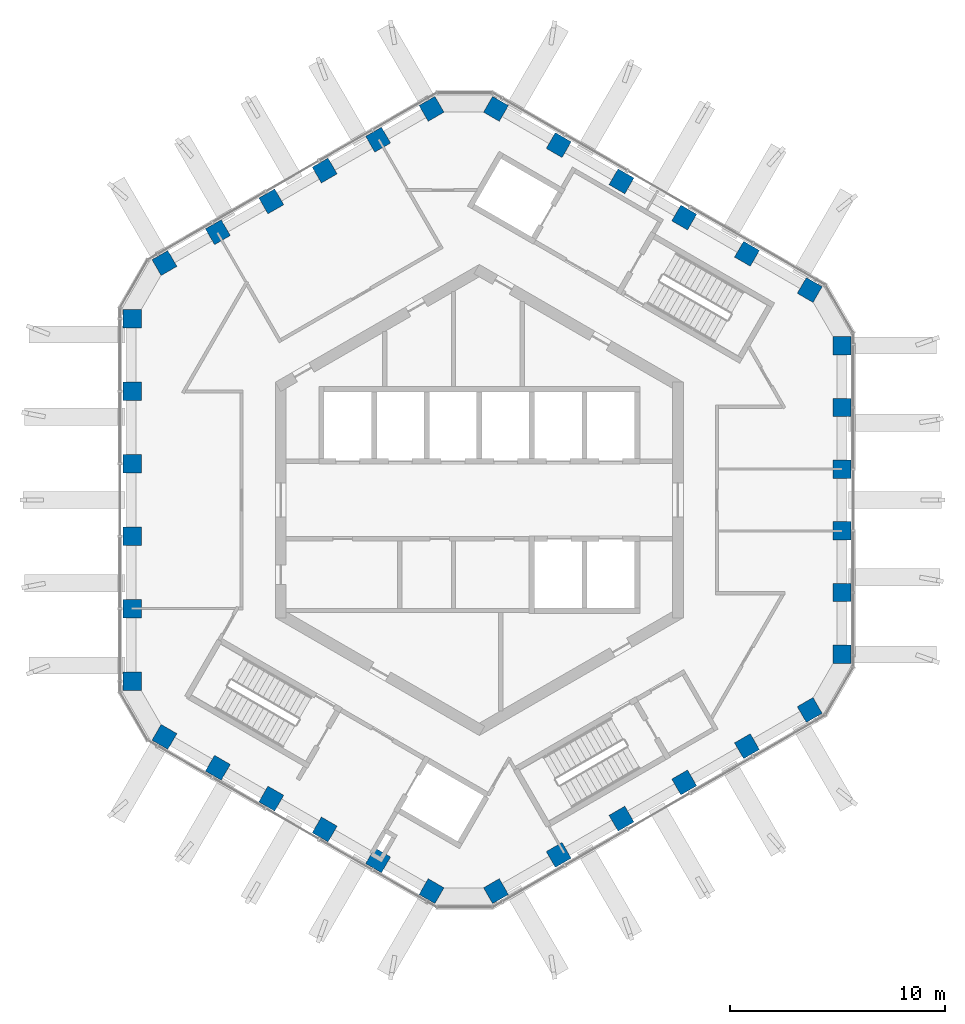
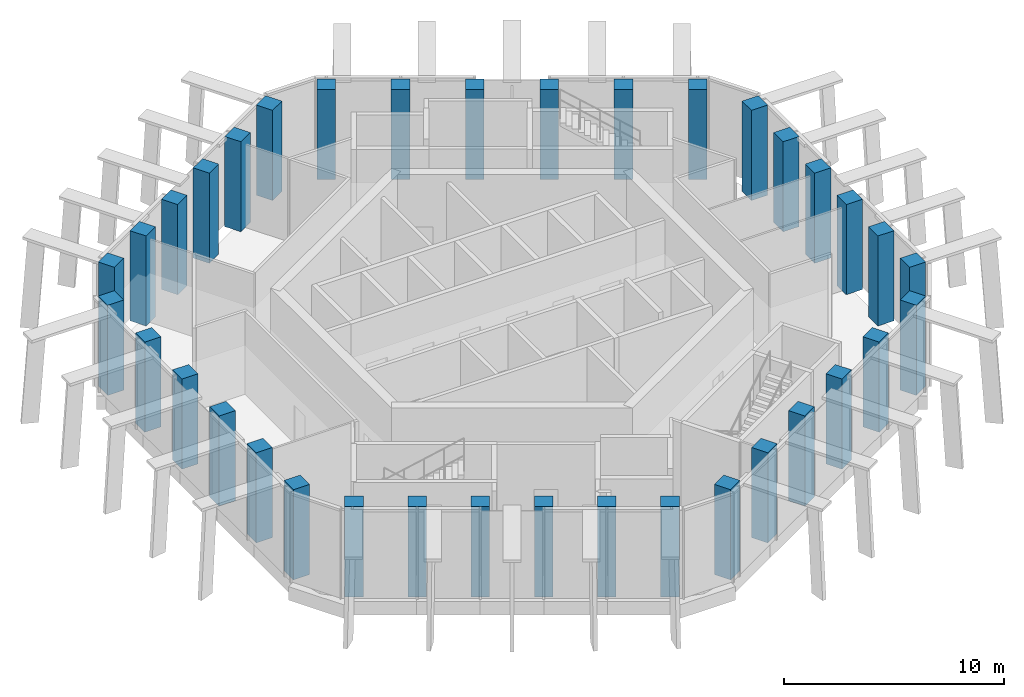
# One storey, part 1 of 17: 36 columns.
"""IFC4 building model written with IfcOpenShell, lengths in metres."""

import ifcopenshell
import ifcopenshell.guid

model = None  # the IFC model being written
_history = None  # IfcOwnerHistory: only IFC2X3 demands one
_inside = {}  # id of a spatial element -> (the spatial element, [elements in it])
_under = {}  # id of a project, library or spatial element -> (it, [spatial elements below it])
_declared = {}  # id of a project -> (the project, [libraries it declares])
_typed = {}  # id of a type object -> (the type object, [elements of that type])
_made_of = {}  # id of a material, layer set ... -> (it, [elements and type objects made of it])


def new_model(schema):
    """Start an empty IFC model of exactly this schema.

    Asked for "IFC4X3", IfcOpenShell would pick the latest addendum, in which some entities
    have other attributes; the version numbers below select the first issue.
    IFC2X3 requires an IfcOwnerHistory on every rooted entity: one is made here for all.
    """
    global model, _history
    if schema == "IFC4X3":
        model = ifcopenshell.file(schema_version=(4, 3, 0, 0))
    else:
        model = ifcopenshell.file(schema=schema)
    _inside.clear()
    _under.clear()
    _declared.clear()
    _typed.clear()
    _made_of.clear()
    _history = None
    if model.schema == "IFC2X3":
        org = make("IfcOrganization", Name="unknown")
        user = make(
            "IfcPersonAndOrganization",
            ThePerson=make("IfcPerson", FamilyName="unknown"),
            TheOrganization=org,
        )
        app = make(
            "IfcApplication",
            ApplicationDeveloper=org,
            Version="unknown",
            ApplicationFullName="unknown",
            ApplicationIdentifier="unknown",
        )
        _history = make(
            "IfcOwnerHistory",
            OwningUser=user,
            OwningApplication=app,
            ChangeAction="ADDED",
            CreationDate=0,
        )
    return model


def make(cls, **values):
    """One entity of the class cls with the attributes given. An attribute that is None is left unset."""
    return model.create_entity(
        cls, **{name: value for name, value in values.items() if value is not None}
    )


def rooted(cls, **values):
    """An entity with a GlobalId (a new one), such as an element, a storey or a relation."""
    return make(cls, GlobalId=ifcopenshell.guid.new(), OwnerHistory=_history, **values)


def si_unit(unit_type, name, prefix=None):
    """IfcSIUnit, for example si_unit("LENGTHUNIT", "METRE", prefix="MILLI")."""
    return make("IfcSIUnit", UnitType=unit_type, Prefix=prefix, Name=name)


def assignment(units):
    """IfcUnitAssignment: the units of a project."""
    return None if units is None else make("IfcUnitAssignment", Units=units)


def point(xyz):
    """IfcCartesianPoint."""
    return None if xyz is None else make("IfcCartesianPoint", Coordinates=xyz)


def direction(xyz):
    """IfcDirection."""
    return None if xyz is None else make("IfcDirection", DirectionRatios=xyz)


def frame(location, z_axis=None, x_axis=None):
    """IfcAxis2Placement3D, a coordinate frame: its origin and axes. An axis left out is left unset."""
    return make(
        "IfcAxis2Placement3D",
        Location=point(location),
        Axis=direction(z_axis),
        RefDirection=direction(x_axis),
    )


def frame_2d(location, x_axis=None):
    """IfcAxis2Placement2D, a coordinate frame in the plane: its origin and x axis."""
    return make(
        "IfcAxis2Placement2D", Location=point(location), RefDirection=direction(x_axis)
    )


def origin():
    """The frame at (0, 0, 0) with its axes left unset."""
    return frame((0.0, 0.0, 0.0))


def origin_2d():
    """The frame at (0, 0) in the plane with its x axis left unset."""
    return frame_2d((0.0, 0.0))


def place(relative_to, where):
    """IfcLocalPlacement: puts the frame where relative to a parent placement (None: the world)."""
    return make(
        "IfcLocalPlacement", PlacementRelTo=relative_to, RelativePlacement=where
    )


def context(
    kind, dimensions, precision=None, world=None, true_north=None, identifier=None
):
    """IfcGeometricRepresentationContext, for example the 3D "Model" context."""
    return make(
        "IfcGeometricRepresentationContext",
        ContextIdentifier=identifier,
        ContextType=kind,
        CoordinateSpaceDimension=dimensions,
        Precision=precision,
        WorldCoordinateSystem=world,
        TrueNorth=true_north,
    )


def subcontext(parent, identifier, kind, view, scale=None):
    """IfcGeometricRepresentationSubContext, for example "Body" below "Model"."""
    return make(
        "IfcGeometricRepresentationSubContext",
        ContextIdentifier=identifier,
        ContextType=kind,
        ParentContext=parent,
        TargetScale=scale,
        TargetView=view,
    )


def project(units=None, contexts=None):
    """IfcProject with its units and contexts."""
    return rooted(
        "IfcProject",
        Name="project",
        RepresentationContexts=contexts,
        UnitsInContext=assignment(units),
    )


def spatial(cls, under=None, at=None, **own):
    """A site, building, storey or space (cls), placed at a placement, below another one or the project."""
    s = rooted(cls, ObjectPlacement=at, **own)
    if under is not None:
        _under.setdefault(under.id(), (under, []))[1].append(s)
    return s


def profile(cls, at=None, kind="AREA", **sizes):
    """A parametric profile (cls). Its sizes go by their IFC names, for example OverallWidth=200.0."""
    return make(cls, ProfileType=kind, Position=at, **sizes)


def rectangle(**sizes):
    """IfcRectangleProfileDef."""
    return profile("IfcRectangleProfileDef", **sizes)


def extrude(swept, where, along, depth):
    """IfcExtrudedAreaSolid: the profile swept, set in the frame where, extruded along a direction by depth."""
    return make(
        "IfcExtrudedAreaSolid",
        SweptArea=swept,
        Position=where,
        ExtrudedDirection=direction(along),
        Depth=depth,
    )


def shape(context_of_items, identifier, shape_type, items):
    """IfcShapeRepresentation: the items that make up one representation, for example the "Body"."""
    return make(
        "IfcShapeRepresentation",
        ContextOfItems=context_of_items,
        RepresentationIdentifier=identifier,
        RepresentationType=shape_type,
        Items=items,
    )


def material(Name=None, Category=None):
    """IfcMaterial."""
    return make("IfcMaterial", Name=Name, Category=Category)


def material_profile(
    of_material, cross_section, Name=None, Category=None, Priority=None
):
    """IfcMaterialProfile: a cross section and its material."""
    return make(
        "IfcMaterialProfile",
        Name=Name,
        Material=of_material,
        Profile=cross_section,
        Priority=Priority,
        Category=Category,
    )


def profile_set(profiles, Name=None, composite=None):
    """IfcMaterialProfileSet."""
    return make(
        "IfcMaterialProfileSet",
        Name=Name,
        MaterialProfiles=profiles,
        CompositeProfile=composite,
    )


def made_of(thing, what):
    """Note that an element or type object is made of a material, layer set ...; save() writes the relation."""
    if what is not None:
        _made_of.setdefault(what.id(), (what, []))[1].append(thing)
    return thing


def type_object(cls, material=None, **own):
    """A type object (cls), such as IfcWallType, which elements share."""
    return made_of(rooted(cls, **own), material)


def element(
    cls,
    number,
    at=None,
    inside=None,
    cuts=None,
    type_object=None,
    material=None,
    context=None,
    identifier="Body",
    shape_type=None,
    held_by="IfcProductDefinitionShape",
    body=None,
    shapes=None,
    **own,
):
    """One element of the class cls, such as IfcWall. Its Tag is "e" and its number.

    at: its placement. inside: the storey or other place that contains it. cuts: it is an
    opening in that element (IfcRelVoidsElement). A single representation is given by context,
    identifier, shape_type and body (its items); several are given by shapes. held_by: the class
    of the entity that holds the representations. save() writes the other relations.
    """
    e = rooted(cls, Tag="e%d" % number, ObjectPlacement=at, **own)
    if body is not None:
        shapes = [shape(context, identifier, shape_type, body)]
    if shapes is not None:
        e.Representation = make(held_by, Representations=shapes)
    if inside is not None:
        _inside.setdefault(inside.id(), (inside, []))[1].append(e)
    if cuts is not None:
        rooted(
            "IfcRelVoidsElement", RelatingBuildingElement=cuts, RelatedOpeningElement=e
        )
    if type_object is not None:
        _typed.setdefault(type_object.id(), (type_object, []))[1].append(e)
    return made_of(e, material)


def aggregate(whole, parts):
    """IfcRelAggregates: a whole, such as a stair, and the parts it consists of."""
    return rooted("IfcRelAggregates", RelatingObject=whole, RelatedObjects=parts)


def save(model, path):
    """Write the relations noted so far, then the file.

    IfcRelAggregates (storeys below a building ...), IfcRelContainedInSpatialStructure (elements
    in a storey), IfcRelDefinesByType, IfcRelAssociatesMaterial and IfcRelDeclares: one each for
    every whole, place, type object, material and project.
    """
    for whole, parts in _under.values():
        aggregate(whole, parts)
    for where, things in _inside.values():
        rooted(
            "IfcRelContainedInSpatialStructure",
            RelatedElements=things,
            RelatingStructure=where,
        )
    for kind, things in _typed.values():
        rooted("IfcRelDefinesByType", RelatedObjects=things, RelatingType=kind)
    for what, things in _made_of.values():
        rooted("IfcRelAssociatesMaterial", RelatedObjects=things, RelatingMaterial=what)
    for by, libraries in _declared.values():
        rooted("IfcRelDeclares", RelatingContext=by, RelatedDefinitions=libraries)
    model.write(path)


model = new_model("IFC4")

# Units and contexts
model_context = context("Model", 3, precision=1e-05, world=origin(), true_north=direction((0.0, 1.0)))
body_context = subcontext(model_context, "Body", "Model", "MODEL_VIEW")
ifc_project = project(units=[si_unit("LENGTHUNIT", "METRE"), si_unit("AREAUNIT", "SQUARE_METRE"), si_unit("VOLUMEUNIT", "CUBIC_METRE"), si_unit("PLANEANGLEUNIT", "RADIAN"), si_unit("MASSUNIT", "GRAM", prefix="KILO")], contexts=[model_context])

# Site, building, storey
site_placement = place(None, origin())
site = spatial("IfcSite", under=ifc_project, at=site_placement, CompositionType="ELEMENT")
building_placement = place(site_placement, origin())
building = spatial("IfcBuilding", under=site, at=building_placement, Name="Ayvan Gate Tower", CompositionType="ELEMENT")
storey_placement = place(building_placement, frame((0.0, 0.0, 257.89990234375)))
storey = spatial("IfcBuildingStorey", under=building, at=storey_placement, Name="L69", CompositionType="ELEMENT", Elevation=257.89990234375)

# Columns
ifc_material = material(Name="Concrete C50/60", Category="concrete")
ifc_material_profile = material_profile(ifc_material, rectangle(XDim=0.85009765625, YDim=0.85009765625, at=origin_2d()), Name="RC 850x850")
ifc_profile_set = profile_set([ifc_material_profile], Name="Concrete C50/60")
column_type = type_object("IfcColumnType", Name="Tube column RC 850x850 C50/60", PredefinedType="COLUMN", material=ifc_profile_set)
for number, where, z_axis, x_axis, name in (
    (1, (16.887451171875, -7.181396484375, 0.0), (0.0, 0.0, 1.0), (1.0, 0.0, 0.0), "C-T0-0-L69"),
    (2, (16.887451171875, -4.308837890625, 0.0), (0.0, 0.0, 1.0), (1.0, 0.0, 0.0), "C-T0-1-L69"),
    (3, (16.887451171875, -1.436279296875, 0.0), (0.0, 0.0, 1.0), (1.0, 0.0, 0.0), "C-T0-2-L69"),
    (4, (16.887451171875, 1.436279296875, 0.0), (0.0, 0.0, 1.0), (1.0, 0.0, 0.0), "C-T0-3-L69"),
    (5, (16.887451171875, 4.308837890625, 0.0), (0.0, 0.0, 1.0), (1.0, 0.0, 0.0), "C-T0-4-L69"),
    (6, (16.887451171875, 7.181396484375, 0.0), (0.0, 0.0, 1.0), (1.0, 0.0, 0.0), "C-T0-5-L69"),
    (7, (15.387451171875, 9.779541015625, 0.0), (0.0, 0.0, 1.0), (0.5, 0.866025403784, 0.0), "C-T1-0-L69"),
    (8, (12.465087890625, 11.466796875, 0.0), (0.0, 0.0, 1.0), (0.5, 0.866025403784, 0.0), "C-T1-1-L69"),
    (9, (9.542724609375, 13.154052734375, 0.0), (0.0, 0.0, 1.0), (0.5, 0.866025403784, 0.0), "C-T1-2-L69"),
    (10, (6.620361328125, 14.84130859375, 0.0), (0.0, 0.0, 1.0), (0.5, 0.866025403784, 0.0), "C-T1-3-L69"),
    (11, (3.697998046875, 16.528564453125, 0.0), (0.0, 0.0, 1.0), (0.5, 0.866025403784, 0.0), "C-T1-4-L69"),
    (12, (0.775634765625, 18.2158203125, 0.0), (0.0, 0.0, 1.0), (0.5, 0.866025403784, 0.0), "C-T1-5-L69"),
    (13, (-2.224365234375, 18.2158203125, 0.0), (0.0, 0.0, 1.0), (-0.5, 0.866025403784, 0.0), "C-T2-0-L69"),
    (14, (-4.712158203125, 16.779541015625, 0.0), (0.0, 0.0, 1.0), (-0.5, 0.866025403784, 0.0), "C-T2-1-L69"),
    (15, (-7.199951171875, 15.34326171875, 0.0), (0.0, 0.0, 1.0), (-0.5, 0.866025403784, 0.0), "C-T2-2-L69"),
    (16, (-9.6875, 13.90673828125, 0.0), (0.0, 0.0, 1.0), (-0.5, 0.866025403784, 0.0), "C-T2-3-L69"),
    (17, (-12.17529296875, 12.470458984375, 0.0), (0.0, 0.0, 1.0), (-0.5, 0.866025403784, 0.0), "C-T2-4-L69"),
    (18, (-14.6630859375, 11.0341796875, 0.0), (0.0, 0.0, 1.0), (-0.5, 0.866025403784, 0.0), "C-T2-5-L69"),
    (19, (-16.1630859375, 8.436279296875, 0.0), (0.0, 0.0, 1.0), (-1.0, 0.0, 0.0), "C-T3-0-L69"),
    (20, (-16.1630859375, 5.061767578125, 0.0), (0.0, 0.0, 1.0), (-1.0, 0.0, 0.0), "C-T3-1-L69"),
    (21, (-16.1630859375, 1.687255859375, 0.0), (0.0, 0.0, 1.0), (-1.0, 0.0, 0.0), "C-T3-2-L69"),
    (22, (-16.1630859375, -1.687255859375, 0.0), (0.0, 0.0, 1.0), (-1.0, 0.0, 0.0), "C-T3-3-L69"),
    (23, (-16.1630859375, -5.061767578125, 0.0), (0.0, 0.0, 1.0), (-1.0, 0.0, 0.0), "C-T3-4-L69"),
    (24, (-16.1630859375, -8.436279296875, 0.0), (0.0, 0.0, 1.0), (-1.0, 0.0, 0.0), "C-T3-5-L69"),
    (25, (-14.6630859375, -11.0341796875, 0.0), (0.0, 0.0, 1.0), (-0.5, -0.866025403784, 0.0), "C-T4-0-L69"),
    (26, (-12.17529296875, -12.470458984375, 0.0), (0.0, 0.0, 1.0), (-0.5, -0.866025403784, 0.0), "C-T4-1-L69"),
    (27, (-9.6875, -13.90673828125, 0.0), (0.0, 0.0, 1.0), (-0.5, -0.866025403784, 0.0), "C-T4-2-L69"),
    (28, (-7.199951171875, -15.34326171875, 0.0), (0.0, 0.0, 1.0), (-0.5, -0.866025403784, 0.0), "C-T4-3-L69"),
    (29, (-4.712158203125, -16.779541015625, 0.0), (0.0, 0.0, 1.0), (-0.5, -0.866025403784, 0.0), "C-T4-4-L69"),
    (30, (-2.224365234375, -18.2158203125, 0.0), (0.0, 0.0, 1.0), (-0.5, -0.866025403784, 0.0), "C-T4-5-L69"),
    (31, (0.775634765625, -18.2158203125, 0.0), (0.0, 0.0, 1.0), (0.5, -0.866025403784, 0.0), "C-T5-0-L69"),
    (32, (3.697998046875, -16.528564453125, 0.0), (0.0, 0.0, 1.0), (0.5, -0.866025403784, 0.0), "C-T5-1-L69"),
    (33, (6.620361328125, -14.84130859375, 0.0), (0.0, 0.0, 1.0), (0.5, -0.866025403784, 0.0), "C-T5-2-L69"),
    (34, (9.542724609375, -13.154052734375, 0.0), (0.0, 0.0, 1.0), (0.5, -0.866025403784, 0.0), "C-T5-3-L69"),
    (35, (12.465087890625, -11.466796875, 0.0), (0.0, 0.0, 1.0), (0.5, -0.866025403784, 0.0), "C-T5-4-L69"),
    (36, (15.387451171875, -9.779541015625, 0.0), (0.0, 0.0, 1.0), (0.5, -0.866025403784, 0.0), "C-T5-5-L69"),
):
    element("IfcColumn", number, at=place(storey_placement, frame(where, z_axis=z_axis, x_axis=x_axis)), inside=storey, type_object=column_type, Name=name, PredefinedType="COLUMN", context=body_context, shape_type="SweptSolid", body=[
        extrude(rectangle(XDim=0.85009765625, YDim=0.85009765625, at=origin_2d()), origin(), (0.0, 0.0, 1.0), 5.0),
    ])

save(model, "model.ifc")
